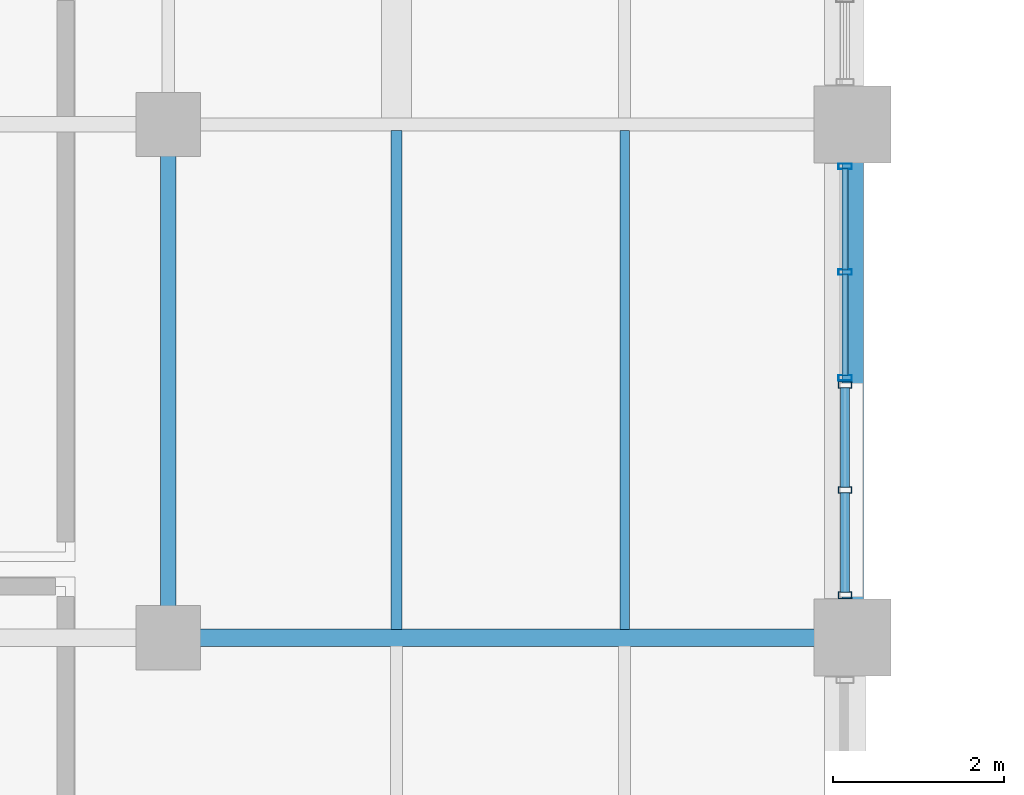
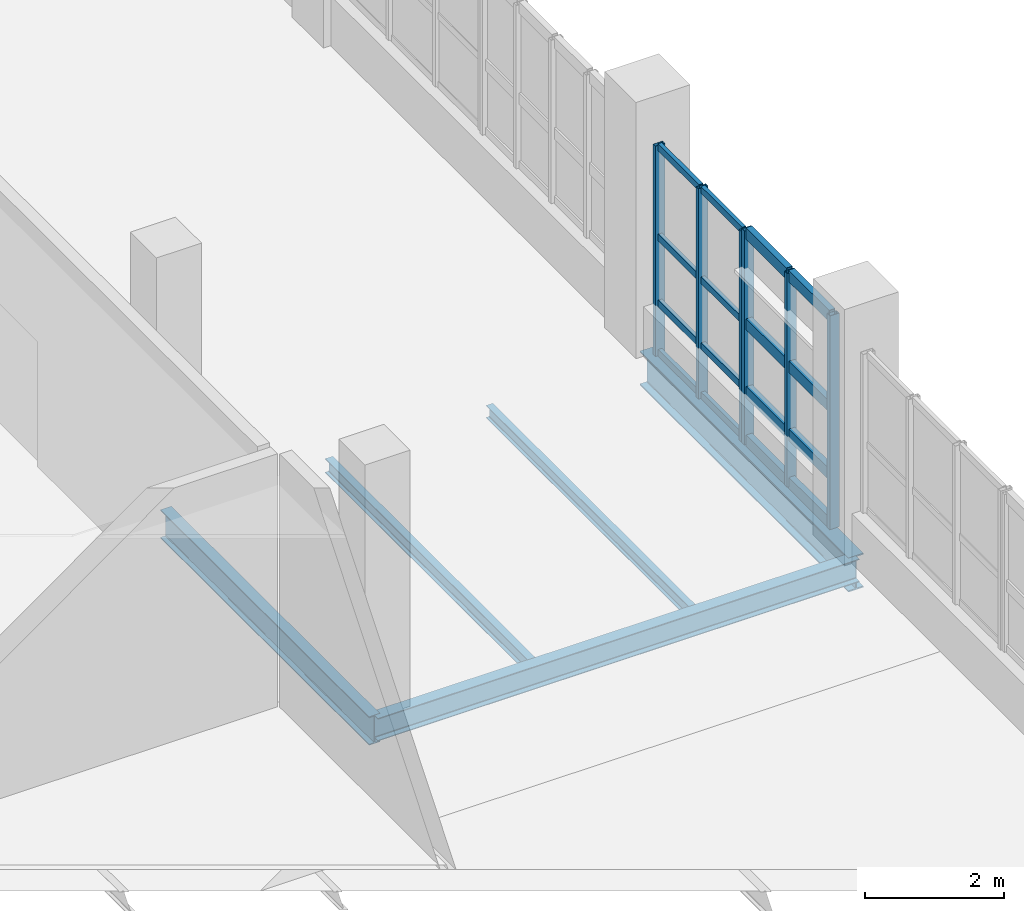
# One storey, part 20 of 85: 22 members, 5 beams, 2 elements without a shape of their own.
"""IFC4 building model written with IfcOpenShell, lengths in metres."""

from ifc_helpers import new_model, si_unit, derived_unit, direction, frame, origin, origin_2d, place, context, subcontext, project, spatial, hollow_rectangle, i_section, extrude, material, layer, layer_set, material_profile, profile_set, type_object, element, aggregate, save


model = new_model("IFC4")

# Units and contexts
model_context = context("Model", 3, precision=1e-05, world=origin(), true_north=direction((0.0, 1.0)))
body_context = subcontext(model_context, "Body", "Model", "MODEL_VIEW")
ifc_project = project(units=[si_unit("LENGTHUNIT", "METRE"), si_unit("AREAUNIT", "SQUARE_METRE"), si_unit("VOLUMEUNIT", "CUBIC_METRE"), si_unit("PLANEANGLEUNIT", "RADIAN"), si_unit("MASSUNIT", "GRAM", prefix="KILO"), derived_unit("THERMALTRANSMITTANCEUNIT", [(si_unit("POWERUNIT", "WATT"), 1), (si_unit("LENGTHUNIT", "METRE"), -2), (si_unit("THERMODYNAMICTEMPERATUREUNIT", "KELVIN"), -1)])], contexts=[model_context])

# Site, building, storey
site_placement = place(None, origin())
site = spatial("IfcSite", under=ifc_project, at=site_placement, CompositionType="ELEMENT")
building_placement = place(site_placement, origin())
building = spatial("IfcBuilding", under=site, at=building_placement, Name="Nallur Shell Playhouse", CompositionType="ELEMENT")
storey_placement = place(building_placement, frame((0.0, 0.0, 19.800048828125)))
storey = spatial("IfcBuildingStorey", under=building, at=storey_placement, Name="L05", CompositionType="ELEMENT", Elevation=19.800048828125)

# Beams
ifc_material_1 = material(Name="Steel E250", Category="steel")
ifc_material_profile_1 = material_profile(ifc_material_1, i_section(OverallWidth=0.110107421875, OverallDepth=0.22509765625, WebThickness=0.006591796875, FlangeThickness=0.01171875, FilletRadius=0.011962890625, at=origin_2d()), Name="ISMB 225")
ifc_profile_set_1 = profile_set([ifc_material_profile_1], Name="Steel E250")
beam_type_1 = type_object("IfcBeamType", Name="BM-JST-ISMB225", PredefinedType="JOIST", material=ifc_profile_set_1)
beam_1_placement = place(storey_placement, frame((37.333251953125, 50.097900390625, -0.362548828125), z_axis=(0.0, 1.0, 0.0), x_axis=(-1.0, 0.0, 0.0)))
element("IfcBeam", 1, at=beam_1_placement, inside=storey, type_object=beam_type_1, Name="L05 secondary joist 4-F-1079", PredefinedType="JOIST", context=body_context, shape_type="SweptSolid", body=[
    extrude(i_section(OverallWidth=0.110107421875, OverallDepth=0.22509765625, WebThickness=0.006591796875, FlangeThickness=0.01171875, FilletRadius=0.011962890625, at=origin_2d()), origin(), (0.0, 0.0, 1.0), 5.8291015625),
])
ifc_material_profile_2 = material_profile(ifc_material_1, i_section(OverallWidth=0.125, OverallDepth=0.25, WebThickness=0.0068359375, FlangeThickness=0.012451171875, FilletRadius=0.012939453125, at=origin_2d()), Name="ISMB 250")
ifc_profile_set_2 = profile_set([ifc_material_profile_2], Name="Steel E250")
beam_type_2 = type_object("IfcBeamType", Name="BM-JST-ISMB250", PredefinedType="JOIST", material=ifc_profile_set_2)
beam_2_placement = place(storey_placement, frame((34.666748046875, 50.097900390625, -0.375), z_axis=(0.0, 1.0, 0.0), x_axis=(-1.0, 0.0, 0.0)))
element("IfcBeam", 2, at=beam_2_placement, inside=storey, type_object=beam_type_2, Name="L05 secondary joist 4-F-1078", PredefinedType="JOIST", context=body_context, shape_type="SweptSolid", body=[
    extrude(i_section(OverallWidth=0.125, OverallDepth=0.25, WebThickness=0.0068359375, FlangeThickness=0.012451171875, FilletRadius=0.012939453125, at=origin_2d()), origin(), (0.0, 0.0, 1.0), 5.8291015625),
])
ifc_material_2 = material(Name="Steel E350", Category="steel")
ifc_material_profile_3 = material_profile(ifc_material_2, i_section(OverallWidth=0.179931640625, OverallDepth=0.5, WebThickness=0.01025390625, FlangeThickness=0.01708984375, FilletRadius=0.01708984375, at=origin_2d()), Name="ISMB 500")
ifc_profile_set_3 = profile_set([ifc_material_profile_3], Name="Steel E350")
beam_type_3 = type_object("IfcBeamType", Name="BM-ST-ISMB500", PredefinedType="BEAM", material=ifc_profile_set_3)
beam_3_placement = place(storey_placement, frame((32.0, 50.0, -0.5), z_axis=(0.0, 1.0, 0.0), x_axis=(-1.0, 0.0, 0.0)))
element("IfcBeam", 3, at=beam_3_placement, inside=storey, type_object=beam_type_3, Name="L05 girder Y-4-1002", PredefinedType="BEAM", context=body_context, shape_type="SweptSolid", body=[
    extrude(i_section(OverallWidth=0.179931640625, OverallDepth=0.5, WebThickness=0.01025390625, FlangeThickness=0.01708984375, FilletRadius=0.01708984375, at=origin_2d()), origin(), (0.0, 0.0, 1.0), 6.0),
])
ifc_material_profile_4 = material_profile(ifc_material_2, i_section(OverallWidth=0.199951171875, OverallDepth=0.39990234375, WebThickness=0.008544921875, FlangeThickness=0.012939453125, FilletRadius=0.012939453125, at=origin_2d()), Name="ISWB 400")
ifc_profile_set_4 = profile_set([ifc_material_profile_4], Name="Steel E350")
beam_type_4 = type_object("IfcBeamType", Name="BM-ST-ISWB400", PredefinedType="BEAM", material=ifc_profile_set_4)
beam_4_placement = place(storey_placement, frame((32.0, 50.0, -0.449951171875), z_axis=(1.0, 0.0, 0.0), x_axis=(0.0, 1.0, 0.0)))
element("IfcBeam", 4, at=beam_4_placement, inside=storey, type_object=beam_type_4, Name="L05 girder X-F-965", PredefinedType="BEAM", context=body_context, shape_type="SweptSolid", body=[
    extrude(i_section(OverallWidth=0.199951171875, OverallDepth=0.39990234375, WebThickness=0.008544921875, FlangeThickness=0.012939453125, FilletRadius=0.012939453125, at=origin_2d()), origin(), (0.0, 0.0, 1.0), 8.0),
])
ifc_material_profile_5 = material_profile(ifc_material_2, i_section(OverallWidth=0.25, OverallDepth=0.60009765625, WebThickness=0.01171875, FlangeThickness=0.023681640625, FilletRadius=0.01708984375, at=origin_2d()), Name="ISWB 600")
ifc_profile_set_5 = profile_set([ifc_material_profile_5], Name="Steel E350")
beam_type_5 = type_object("IfcBeamType", Name="BM-ST-ISWB600", PredefinedType="BEAM", material=ifc_profile_set_5)
beam_5_placement = place(storey_placement, frame((40.0, 50.0, -0.550048828125), z_axis=(0.0, 1.0, 0.0), x_axis=(-1.0, 0.0, 0.0)))
element("IfcBeam", 5, at=beam_5_placement, inside=storey, type_object=beam_type_5, Name="L05 girder Y-5-1009", PredefinedType="BEAM", context=body_context, shape_type="SweptSolid", body=[
    extrude(i_section(OverallWidth=0.25, OverallDepth=0.60009765625, WebThickness=0.01171875, FlangeThickness=0.023681640625, FilletRadius=0.01708984375, at=origin_2d()), origin(), (0.0, 0.0, 1.0), 6.0),
])

# Curtain wall, members
ifc_material_3 = material(Name="Anodised Aluminium Double-Glazed Facade System", Category="aluminium")
ifc_layer_1 = layer(ifc_material_3, 0.176025390625)
ifc_layer_set_1 = layer_set([ifc_layer_1], Name="Anodised Aluminium Double-Glazed Facade System")
curtain_wall_type_1 = type_object("IfcCurtainWallType", Name="CW-UNIT-16", PredefinedType="NOTDEFINED", material=ifc_layer_set_1)
curtain_wall_1_placement = place(storey_placement, origin())
curtain_wall_1 = element("IfcCurtainWall", 6, at=curtain_wall_1_placement, inside=storey, type_object=curtain_wall_type_1, Name="Unitised curtain wall CW-176 (L05)", PredefinedType="NOTDEFINED")
ifc_material_4 = material(Name="Aluminium Alloy 6063-T6 Mullion", Category="aluminium")
ifc_material_profile_6 = material_profile(ifc_material_4, hollow_rectangle(XDim=0.080078125, YDim=0.159912109375, WallThickness=0.006103515625, at=origin_2d()), Name="RHS 160x80x6")
ifc_profile_set_6 = profile_set([ifc_material_profile_6], Name="Aluminium Alloy 6063-T6 Mullion")
member_type_1 = type_object("IfcMemberType", Name="MB-CW-MUL150", PredefinedType="MULLION", material=ifc_profile_set_6)
member_1_placement = place(storey_placement, frame((39.909912109375, 52.955078125, -0.01513671875), z_axis=(0.0, 0.0, 1.0), x_axis=(0.0, -1.0, 0.0)))
member_1 = element("IfcMember", 7, at=member_1_placement, type_object=member_type_1, Name="CW-16 mullion 1", PredefinedType="MULLION", context=body_context, shape_type="SweptSolid", body=[
    extrude(hollow_rectangle(XDim=0.080078125, YDim=0.159912109375, WallThickness=0.006103515625, at=origin_2d()), origin(), (0.0, 0.0, 1.0), 3.754150390625),
])
member_2_placement = place(storey_placement, frame((39.909912109375, 51.7265625, -0.01513671875), z_axis=(0.0, 0.0, 1.0), x_axis=(0.0, -1.0, 0.0)))
member_2 = element("IfcMember", 8, at=member_2_placement, type_object=member_type_1, Name="CW-16 mullion 2", PredefinedType="MULLION", context=body_context, shape_type="SweptSolid", body=[
    extrude(hollow_rectangle(XDim=0.080078125, YDim=0.159912109375, WallThickness=0.006103515625, at=origin_2d()), origin(), (0.0, 0.0, 1.0), 3.754150390625),
])
member_3_placement = place(storey_placement, frame((39.909912109375, 50.498046875, -0.01513671875), z_axis=(0.0, 0.0, 1.0), x_axis=(0.0, -1.0, 0.0)))
member_3 = element("IfcMember", 9, at=member_3_placement, type_object=member_type_1, Name="CW-16 mullion 3", PredefinedType="MULLION", context=body_context, shape_type="SweptSolid", body=[
    extrude(hollow_rectangle(XDim=0.080078125, YDim=0.159912109375, WallThickness=0.006103515625, at=origin_2d()), origin(), (0.0, 0.0, 1.0), 3.754150390625),
])

ifc_layer_2 = layer(ifc_material_3, 0.172119140625)
ifc_layer_set_2 = layer_set([ifc_layer_2], Name="Anodised Aluminium Double-Glazed Facade System")
curtain_wall_type_2 = type_object("IfcCurtainWallType", Name="CW-UNIT-15", PredefinedType="NOTDEFINED", material=ifc_layer_set_2)
curtain_wall_2_placement = place(storey_placement, origin())
curtain_wall_2 = element("IfcCurtainWall", 10, at=curtain_wall_2_placement, inside=storey, type_object=curtain_wall_type_2, Name="Unitised curtain wall CW-175 (L05)", PredefinedType="NOTDEFINED")
ifc_material_profile_7 = material_profile(ifc_material_4, hollow_rectangle(XDim=0.06494140625, YDim=0.159912109375, WallThickness=0.00390625, at=origin_2d()), Name="ALU 65x160x4")
ifc_profile_set_7 = profile_set([ifc_material_profile_7], Name="Aluminium Alloy 6063-T6 Mullion")
member_type_2 = type_object("IfcMemberType", Name="MB-CW-MUL160", PredefinedType="MULLION", material=ifc_profile_set_7)
member_4_placement = place(storey_placement, frame((39.909912109375, 55.509521484375, -0.01513671875), z_axis=(0.0, 0.0, 1.0), x_axis=(0.0, -1.0, 0.0)))
member_4 = element("IfcMember", 11, at=member_4_placement, type_object=member_type_2, Name="CW-15 mullion 1", PredefinedType="MULLION", context=body_context, shape_type="SweptSolid", body=[
    extrude(hollow_rectangle(XDim=0.06494140625, YDim=0.159912109375, WallThickness=0.00390625, at=origin_2d()), origin(), (0.0, 0.0, 1.0), 3.694091796875),
])
member_5_placement = place(storey_placement, frame((39.909912109375, 54.2734375, -0.01513671875), z_axis=(0.0, 0.0, 1.0), x_axis=(0.0, -1.0, 0.0)))
member_5 = element("IfcMember", 12, at=member_5_placement, type_object=member_type_2, Name="CW-15 mullion 2", PredefinedType="MULLION", context=body_context, shape_type="SweptSolid", body=[
    extrude(hollow_rectangle(XDim=0.06494140625, YDim=0.159912109375, WallThickness=0.00390625, at=origin_2d()), origin(), (0.0, 0.0, 1.0), 3.694091796875),
])
member_6_placement = place(storey_placement, frame((39.909912109375, 53.03759765625, -0.01513671875), z_axis=(0.0, 0.0, 1.0), x_axis=(0.0, -1.0, 0.0)))
member_6 = element("IfcMember", 13, at=member_6_placement, type_object=member_type_2, Name="CW-15 mullion 3", PredefinedType="MULLION", context=body_context, shape_type="SweptSolid", body=[
    extrude(hollow_rectangle(XDim=0.06494140625, YDim=0.159912109375, WallThickness=0.00390625, at=origin_2d()), origin(), (0.0, 0.0, 1.0), 3.694091796875),
])
ifc_material_5 = material(Name="Aluminium Alloy 6063-T6 Transom", Category="aluminium")
ifc_material_profile_8 = material_profile(ifc_material_5, hollow_rectangle(XDim=0.06494140625, YDim=0.1201171875, WallThickness=0.00390625, at=origin_2d()), Name="ALU 65x120x4")
ifc_profile_set_8 = profile_set([ifc_material_profile_8], Name="Aluminium Alloy 6063-T6 Transom")
member_type_3 = type_object("IfcMemberType", Name="MB-CW-TRN120", PredefinedType="USERDEFINED", material=ifc_profile_set_8)
member_7_placement = place(storey_placement, frame((39.909912109375, 55.485107421875, 0.032470703125), z_axis=(0.0, -1.0, 0.0), x_axis=(1.0, 0.0, 0.0)))
member_7 = element("IfcMember", 14, at=member_7_placement, type_object=member_type_3, Name="CW-15 transom 1.1", ObjectType="TRANSOM", PredefinedType="USERDEFINED", context=body_context, shape_type="SweptSolid", body=[
    extrude(hollow_rectangle(XDim=0.06494140625, YDim=0.1201171875, WallThickness=0.00390625, at=origin_2d()), origin(), (0.0, 0.0, 1.0), 1.18701171875),
])
member_8_placement = place(storey_placement, frame((39.909912109375, 55.485107421875, 0.89990234375), z_axis=(0.0, -1.0, 0.0), x_axis=(1.0, 0.0, 0.0)))
member_8 = element("IfcMember", 15, at=member_8_placement, type_object=member_type_3, Name="CW-15 transom 1.2", ObjectType="TRANSOM", PredefinedType="USERDEFINED", context=body_context, shape_type="SweptSolid", body=[
    extrude(hollow_rectangle(XDim=0.06494140625, YDim=0.1201171875, WallThickness=0.00390625, at=origin_2d()), origin(), (0.0, 0.0, 1.0), 1.18701171875),
])
member_9_placement = place(storey_placement, frame((39.909912109375, 55.485107421875, 2.057861328125), z_axis=(0.0, -1.0, 0.0), x_axis=(1.0, 0.0, 0.0)))
member_9 = element("IfcMember", 16, at=member_9_placement, type_object=member_type_3, Name="CW-15 transom 1.3", ObjectType="TRANSOM", PredefinedType="USERDEFINED", context=body_context, shape_type="SweptSolid", body=[
    extrude(hollow_rectangle(XDim=0.06494140625, YDim=0.1201171875, WallThickness=0.00390625, at=origin_2d()), origin(), (0.0, 0.0, 1.0), 1.18701171875),
])
member_10_placement = place(storey_placement, frame((39.909912109375, 55.485107421875, 3.642333984375), z_axis=(0.0, -1.0, 0.0), x_axis=(1.0, 0.0, 0.0)))
member_10 = element("IfcMember", 17, at=member_10_placement, type_object=member_type_3, Name="CW-15 transom 1.4", ObjectType="TRANSOM", PredefinedType="USERDEFINED", context=body_context, shape_type="SweptSolid", body=[
    extrude(hollow_rectangle(XDim=0.06494140625, YDim=0.1201171875, WallThickness=0.00390625, at=origin_2d()), origin(), (0.0, 0.0, 1.0), 1.18701171875),
])
member_11_placement = place(storey_placement, frame((39.909912109375, 54.2490234375, 0.032470703125), z_axis=(0.0, -1.0, 0.0), x_axis=(1.0, 0.0, 0.0)))
member_11 = element("IfcMember", 18, at=member_11_placement, type_object=member_type_3, Name="CW-15 transom 2.1", ObjectType="TRANSOM", PredefinedType="USERDEFINED", context=body_context, shape_type="SweptSolid", body=[
    extrude(hollow_rectangle(XDim=0.06494140625, YDim=0.1201171875, WallThickness=0.00390625, at=origin_2d()), origin(), (0.0, 0.0, 1.0), 1.18701171875),
])
member_12_placement = place(storey_placement, frame((39.909912109375, 54.2490234375, 0.89990234375), z_axis=(0.0, -1.0, 0.0), x_axis=(1.0, 0.0, 0.0)))
member_12 = element("IfcMember", 19, at=member_12_placement, type_object=member_type_3, Name="CW-15 transom 2.2", ObjectType="TRANSOM", PredefinedType="USERDEFINED", context=body_context, shape_type="SweptSolid", body=[
    extrude(hollow_rectangle(XDim=0.06494140625, YDim=0.1201171875, WallThickness=0.00390625, at=origin_2d()), origin(), (0.0, 0.0, 1.0), 1.18701171875),
])
member_13_placement = place(storey_placement, frame((39.909912109375, 54.2490234375, 2.057861328125), z_axis=(0.0, -1.0, 0.0), x_axis=(1.0, 0.0, 0.0)))
member_13 = element("IfcMember", 20, at=member_13_placement, type_object=member_type_3, Name="CW-15 transom 2.3", ObjectType="TRANSOM", PredefinedType="USERDEFINED", context=body_context, shape_type="SweptSolid", body=[
    extrude(hollow_rectangle(XDim=0.06494140625, YDim=0.1201171875, WallThickness=0.00390625, at=origin_2d()), origin(), (0.0, 0.0, 1.0), 1.18701171875),
])
member_14_placement = place(storey_placement, frame((39.909912109375, 54.2490234375, 3.642333984375), z_axis=(0.0, -1.0, 0.0), x_axis=(1.0, 0.0, 0.0)))
member_14 = element("IfcMember", 21, at=member_14_placement, type_object=member_type_3, Name="CW-15 transom 2.4", ObjectType="TRANSOM", PredefinedType="USERDEFINED", context=body_context, shape_type="SweptSolid", body=[
    extrude(hollow_rectangle(XDim=0.06494140625, YDim=0.1201171875, WallThickness=0.00390625, at=origin_2d()), origin(), (0.0, 0.0, 1.0), 1.18701171875),
])
aggregate(curtain_wall_2, [member_4, member_5, member_6, member_7, member_8, member_9, member_10, member_11, member_12, member_13, member_14])

# Member
ifc_material_profile_9 = material_profile(ifc_material_5, hollow_rectangle(XDim=0.10009765625, YDim=0.199951171875, WallThickness=0.008056640625, at=origin_2d()), Name="RHS 200x100x8")
ifc_profile_set_9 = profile_set([ifc_material_profile_9], Name="Aluminium Alloy 6063-T6 Transom")
member_type_4 = type_object("IfcMemberType", Name="MB-CW-TRN140", PredefinedType="USERDEFINED", material=ifc_profile_set_9)
member_15_placement = place(storey_placement, frame((39.909912109375, 52.923095703125, 0.050048828125), z_axis=(0.0, -1.0, 0.0), x_axis=(1.0, 0.0, 0.0)))
member_15 = element("IfcMember", 22, at=member_15_placement, type_object=member_type_4, Name="CW-16 transom 1.1", ObjectType="TRANSOM", PredefinedType="USERDEFINED", context=body_context, shape_type="SweptSolid", body=[
    extrude(hollow_rectangle(XDim=0.10009765625, YDim=0.199951171875, WallThickness=0.008056640625, at=origin_2d()), origin(), (0.0, 0.0, 1.0), 1.16455078125),
])

member_16_placement = place(storey_placement, frame((39.909912109375, 52.923095703125, 0.89990234375), z_axis=(0.0, -1.0, 0.0), x_axis=(1.0, 0.0, 0.0)))
member_16 = element("IfcMember", 23, at=member_16_placement, type_object=member_type_4, Name="CW-16 transom 1.2", ObjectType="TRANSOM", PredefinedType="USERDEFINED", context=body_context, shape_type="SweptSolid", body=[
    extrude(hollow_rectangle(XDim=0.10009765625, YDim=0.199951171875, WallThickness=0.008056640625, at=origin_2d()), origin(), (0.0, 0.0, 1.0), 1.16455078125),
])

member_17_placement = place(storey_placement, frame((39.909912109375, 52.923095703125, 2.092041015625), z_axis=(0.0, -1.0, 0.0), x_axis=(1.0, 0.0, 0.0)))
member_17 = element("IfcMember", 24, at=member_17_placement, type_object=member_type_4, Name="CW-16 transom 1.3", ObjectType="TRANSOM", PredefinedType="USERDEFINED", context=body_context, shape_type="SweptSolid", body=[
    extrude(hollow_rectangle(XDim=0.10009765625, YDim=0.199951171875, WallThickness=0.008056640625, at=origin_2d()), origin(), (0.0, 0.0, 1.0), 1.16455078125),
])

member_18_placement = place(storey_placement, frame((39.909912109375, 52.923095703125, 3.68505859375), z_axis=(0.0, -1.0, 0.0), x_axis=(1.0, 0.0, 0.0)))
member_18 = element("IfcMember", 25, at=member_18_placement, type_object=member_type_4, Name="CW-16 transom 1.4", ObjectType="TRANSOM", PredefinedType="USERDEFINED", context=body_context, shape_type="SweptSolid", body=[
    extrude(hollow_rectangle(XDim=0.10009765625, YDim=0.199951171875, WallThickness=0.008056640625, at=origin_2d()), origin(), (0.0, 0.0, 1.0), 1.16455078125),
])

member_19_placement = place(storey_placement, frame((39.909912109375, 51.694580078125, 0.050048828125), z_axis=(0.0, -1.0, 0.0), x_axis=(1.0, 0.0, 0.0)))
member_19 = element("IfcMember", 26, at=member_19_placement, type_object=member_type_4, Name="CW-16 transom 2.1", ObjectType="TRANSOM", PredefinedType="USERDEFINED", context=body_context, shape_type="SweptSolid", body=[
    extrude(hollow_rectangle(XDim=0.10009765625, YDim=0.199951171875, WallThickness=0.008056640625, at=origin_2d()), origin(), (0.0, 0.0, 1.0), 1.16455078125),
])

member_20_placement = place(storey_placement, frame((39.909912109375, 51.694580078125, 0.89990234375), z_axis=(0.0, -1.0, 0.0), x_axis=(1.0, 0.0, 0.0)))
member_20 = element("IfcMember", 27, at=member_20_placement, type_object=member_type_4, Name="CW-16 transom 2.2", ObjectType="TRANSOM", PredefinedType="USERDEFINED", context=body_context, shape_type="SweptSolid", body=[
    extrude(hollow_rectangle(XDim=0.10009765625, YDim=0.199951171875, WallThickness=0.008056640625, at=origin_2d()), origin(), (0.0, 0.0, 1.0), 1.16455078125),
])

member_21_placement = place(storey_placement, frame((39.909912109375, 51.694580078125, 2.092041015625), z_axis=(0.0, -1.0, 0.0), x_axis=(1.0, 0.0, 0.0)))
member_21 = element("IfcMember", 28, at=member_21_placement, type_object=member_type_4, Name="CW-16 transom 2.3", ObjectType="TRANSOM", PredefinedType="USERDEFINED", context=body_context, shape_type="SweptSolid", body=[
    extrude(hollow_rectangle(XDim=0.10009765625, YDim=0.199951171875, WallThickness=0.008056640625, at=origin_2d()), origin(), (0.0, 0.0, 1.0), 1.16455078125),
])

member_22_placement = place(storey_placement, frame((39.909912109375, 51.694580078125, 3.68505859375), z_axis=(0.0, -1.0, 0.0), x_axis=(1.0, 0.0, 0.0)))
member_22 = element("IfcMember", 29, at=member_22_placement, type_object=member_type_4, Name="CW-16 transom 2.4", ObjectType="TRANSOM", PredefinedType="USERDEFINED", context=body_context, shape_type="SweptSolid", body=[
    extrude(hollow_rectangle(XDim=0.10009765625, YDim=0.199951171875, WallThickness=0.008056640625, at=origin_2d()), origin(), (0.0, 0.0, 1.0), 1.16455078125),
])

aggregate(curtain_wall_1, [member_1, member_2, member_3, member_15, member_16, member_17, member_18, member_19, member_20, member_21, member_22])

save(model, "model.ifc")
